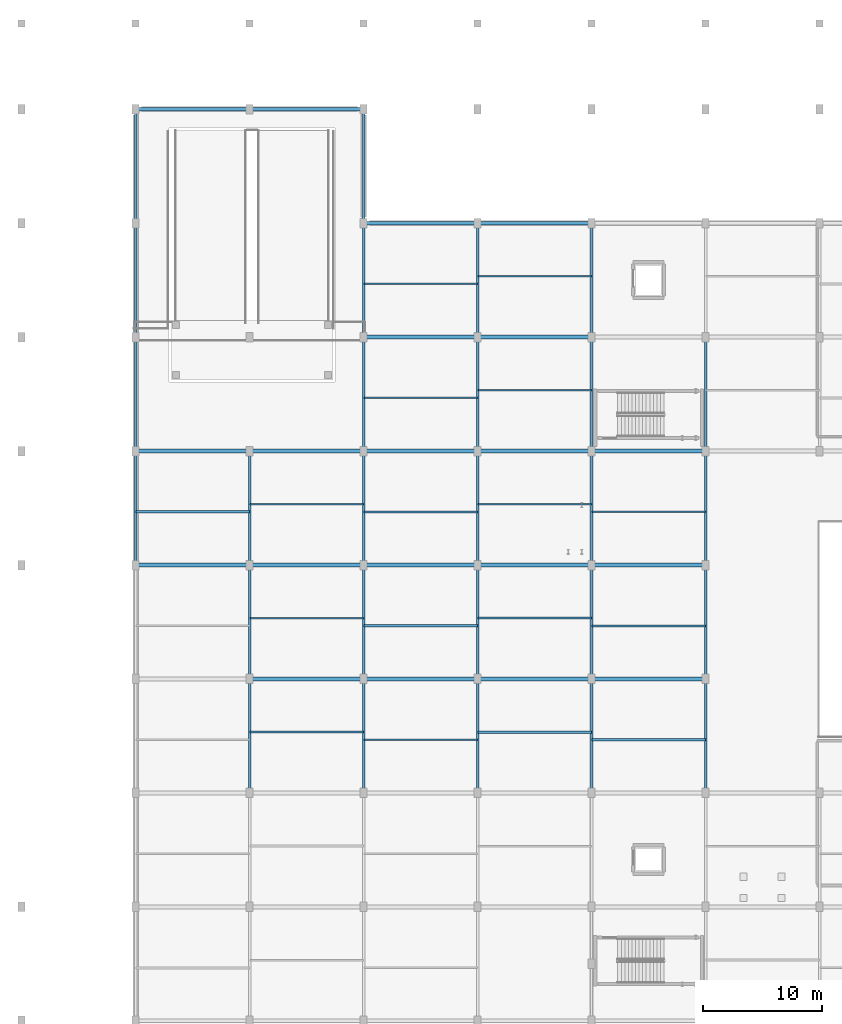
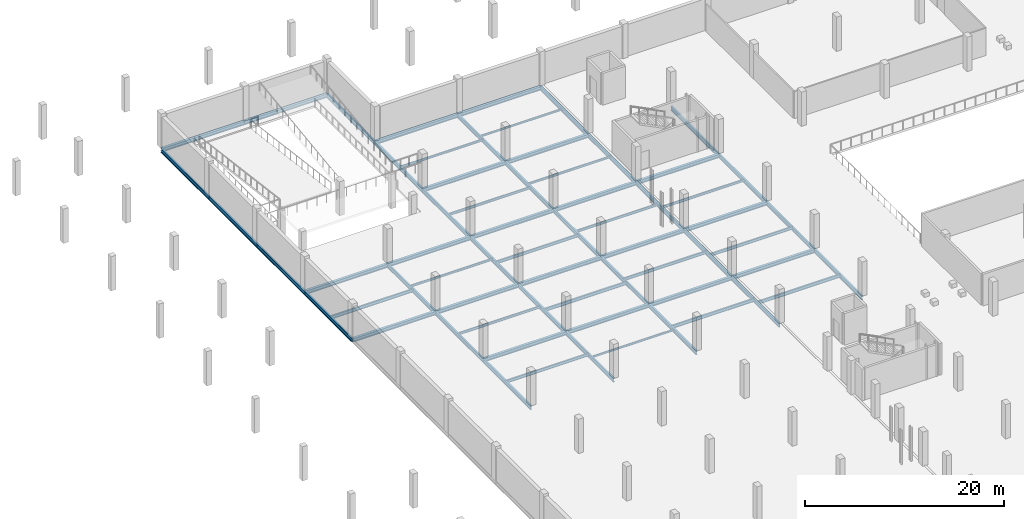
# One storey, part 28 of 47: 64 beams.
"""IFC4 building model written with IfcOpenShell, lengths in metres."""

from ifc_helpers import new_model, si_unit, direction, frame, origin, origin_2d, place, context, subcontext, project, spatial, i_section, extrude, material, material_profile, profile_set, type_object, element, save


model = new_model("IFC4")

# Units and contexts
model_context = context("Model", 3, precision=1e-05, world=origin(), true_north=direction((0.0, 1.0)))
body_context = subcontext(model_context, "Body", "Model", "MODEL_VIEW")
ifc_project = project(units=[si_unit("LENGTHUNIT", "METRE"), si_unit("AREAUNIT", "SQUARE_METRE"), si_unit("VOLUMEUNIT", "CUBIC_METRE"), si_unit("PLANEANGLEUNIT", "RADIAN"), si_unit("MASSUNIT", "GRAM", prefix="KILO")], contexts=[model_context])

# Site, building, storey
site_placement = place(None, origin())
site = spatial("IfcSite", under=ifc_project, at=site_placement, CompositionType="ELEMENT")
building_placement = place(site_placement, origin())
building = spatial("IfcBuilding", under=site, at=building_placement, Name="Zevrakil Square Congress Hotel", CompositionType="ELEMENT")
storey_placement = place(building_placement, frame((0.0, 0.0, -4.199951171875)))
storey = spatial("IfcBuildingStorey", under=building, at=storey_placement, Name="B1", CompositionType="ELEMENT", Elevation=-4.199951171875)

# Beams
ifc_material_1 = material(Name="Steel S355", Category="steel")
ifc_material_profile_1 = material_profile(ifc_material_1, i_section(OverallWidth=0.300048828125, OverallDepth=0.43994140625, WebThickness=0.011474609375, FlangeThickness=0.02099609375, FilletRadius=0.027099609375, at=origin_2d()), Name="HEA 450")
ifc_profile_set_1 = profile_set([ifc_material_profile_1], Name="Steel S355")
beam_type_1 = type_object("IfcBeamType", Name="BM-HEA450", PredefinedType="BEAM", material=ifc_profile_set_1)
for number, where, z_axis, x_axis, name in (
    (1, (26.39990234375, 64.800048828125, -0.489990234375), (1.0, 0.0, 0.0), (0.0, 1.0, 0.0), "B1 primary girder BX-0083"),
    (2, (36.0, 64.800048828125, -0.489990234375), (1.0, 0.0, 0.0), (0.0, 1.0, 0.0), "B1 primary girder BX-0084"),
):
    element("IfcBeam", number, at=place(storey_placement, frame(where, z_axis=z_axis, x_axis=x_axis)), inside=storey, type_object=beam_type_1, Name=name, PredefinedType="BEAM", context=body_context, shape_type="SweptSolid", body=[
        extrude(i_section(OverallWidth=0.300048828125, OverallDepth=0.43994140625, WebThickness=0.011474609375, FlangeThickness=0.02099609375, FilletRadius=0.027099609375, at=origin_2d()), origin(), (0.0, 0.0, 1.0), 9.60009765625),
    ])
beam_1_placement = place(storey_placement, frame((45.60009765625, 64.800048828125, -0.489990234375), z_axis=(1.0, 0.0, 0.0), x_axis=(0.0, 1.0, 0.0)))
element("IfcBeam", 3, at=beam_1_placement, inside=storey, type_object=beam_type_1, Name="B1 primary girder BX-0085", PredefinedType="BEAM", context=body_context, shape_type="SweptSolid", body=[
    extrude(i_section(OverallWidth=0.300048828125, OverallDepth=0.43994140625, WebThickness=0.011474609375, FlangeThickness=0.02099609375, FilletRadius=0.027099609375, at=origin_2d()), origin(), (0.0, 0.0, 1.0), 9.599853515625),
])
beam_2_placement = place(storey_placement, frame((55.199951171875, 64.800048828125, -0.489990234375), z_axis=(1.0, 0.0, 0.0), x_axis=(0.0, 1.0, 0.0)))
element("IfcBeam", 4, at=beam_2_placement, inside=storey, type_object=beam_type_1, Name="B1 primary girder BX-0086", PredefinedType="BEAM", context=body_context, shape_type="SweptSolid", body=[
    extrude(i_section(OverallWidth=0.300048828125, OverallDepth=0.43994140625, WebThickness=0.011474609375, FlangeThickness=0.02099609375, FilletRadius=0.027099609375, at=origin_2d()), origin(), (0.0, 0.0, 1.0), 9.60009765625),
])
beam_3_placement = place(storey_placement, frame((16.800048828125, 74.39990234375, -0.489990234375), z_axis=(1.0, 0.0, 0.0), x_axis=(0.0, 1.0, 0.0)))
element("IfcBeam", 5, at=beam_3_placement, inside=storey, type_object=beam_type_1, Name="B1 primary girder BX-0089", PredefinedType="BEAM", context=body_context, shape_type="SweptSolid", body=[
    extrude(i_section(OverallWidth=0.300048828125, OverallDepth=0.43994140625, WebThickness=0.011474609375, FlangeThickness=0.02099609375, FilletRadius=0.027099609375, at=origin_2d()), origin(), (0.0, 0.0, 1.0), 9.599853515625),
])
for number, where, z_axis, x_axis, name in (
    (6, (26.39990234375, 74.39990234375, -0.489990234375), (1.0, 0.0, 0.0), (0.0, 1.0, 0.0), "B1 primary girder BX-0090"),
    (7, (36.0, 74.39990234375, -0.489990234375), (1.0, 0.0, 0.0), (0.0, 1.0, 0.0), "B1 primary girder BX-0091"),
):
    element("IfcBeam", number, at=place(storey_placement, frame(where, z_axis=z_axis, x_axis=x_axis)), inside=storey, type_object=beam_type_1, Name=name, PredefinedType="BEAM", context=body_context, shape_type="SweptSolid", body=[
        extrude(i_section(OverallWidth=0.300048828125, OverallDepth=0.43994140625, WebThickness=0.011474609375, FlangeThickness=0.02099609375, FilletRadius=0.027099609375, at=origin_2d()), origin(), (0.0, 0.0, 1.0), 9.60009765625),
    ])
beam_4_placement = place(storey_placement, frame((45.60009765625, 74.39990234375, -0.489990234375), z_axis=(1.0, 0.0, 0.0), x_axis=(0.0, 1.0, 0.0)))
element("IfcBeam", 8, at=beam_4_placement, inside=storey, type_object=beam_type_1, Name="B1 primary girder BX-0092", PredefinedType="BEAM", context=body_context, shape_type="SweptSolid", body=[
    extrude(i_section(OverallWidth=0.300048828125, OverallDepth=0.43994140625, WebThickness=0.011474609375, FlangeThickness=0.02099609375, FilletRadius=0.027099609375, at=origin_2d()), origin(), (0.0, 0.0, 1.0), 9.599853515625),
])
beam_5_placement = place(storey_placement, frame((55.199951171875, 74.39990234375, -0.489990234375), z_axis=(1.0, 0.0, 0.0), x_axis=(0.0, 1.0, 0.0)))
element("IfcBeam", 9, at=beam_5_placement, inside=storey, type_object=beam_type_1, Name="B1 primary girder BX-0093", PredefinedType="BEAM", context=body_context, shape_type="SweptSolid", body=[
    extrude(i_section(OverallWidth=0.300048828125, OverallDepth=0.43994140625, WebThickness=0.011474609375, FlangeThickness=0.02099609375, FilletRadius=0.027099609375, at=origin_2d()), origin(), (0.0, 0.0, 1.0), 9.60009765625),
])
beam_6_placement = place(storey_placement, frame((16.800048828125, 84.0, -0.489990234375), z_axis=(1.0, 0.0, 0.0), x_axis=(0.0, 1.0, 0.0)))
element("IfcBeam", 10, at=beam_6_placement, inside=storey, type_object=beam_type_1, Name="B1 primary girder BX-0096", PredefinedType="BEAM", context=body_context, shape_type="SweptSolid", body=[
    extrude(i_section(OverallWidth=0.300048828125, OverallDepth=0.43994140625, WebThickness=0.011474609375, FlangeThickness=0.02099609375, FilletRadius=0.027099609375, at=origin_2d()), origin(), (0.0, 0.0, 1.0), 9.599853515625),
])
for number, where, z_axis, x_axis, name in (
    (11, (26.39990234375, 84.0, -0.489990234375), (1.0, 0.0, 0.0), (0.0, 1.0, 0.0), "B1 primary girder BX-0097"),
    (12, (36.0, 84.0, -0.489990234375), (1.0, 0.0, 0.0), (0.0, 1.0, 0.0), "B1 primary girder BX-0098"),
):
    element("IfcBeam", number, at=place(storey_placement, frame(where, z_axis=z_axis, x_axis=x_axis)), inside=storey, type_object=beam_type_1, Name=name, PredefinedType="BEAM", context=body_context, shape_type="SweptSolid", body=[
        extrude(i_section(OverallWidth=0.300048828125, OverallDepth=0.43994140625, WebThickness=0.011474609375, FlangeThickness=0.02099609375, FilletRadius=0.027099609375, at=origin_2d()), origin(), (0.0, 0.0, 1.0), 9.60009765625),
    ])
beam_7_placement = place(storey_placement, frame((45.60009765625, 84.0, -0.489990234375), z_axis=(1.0, 0.0, 0.0), x_axis=(0.0, 1.0, 0.0)))
element("IfcBeam", 13, at=beam_7_placement, inside=storey, type_object=beam_type_1, Name="B1 primary girder BX-0099", PredefinedType="BEAM", context=body_context, shape_type="SweptSolid", body=[
    extrude(i_section(OverallWidth=0.300048828125, OverallDepth=0.43994140625, WebThickness=0.011474609375, FlangeThickness=0.02099609375, FilletRadius=0.027099609375, at=origin_2d()), origin(), (0.0, 0.0, 1.0), 9.599853515625),
])
for number, where, z_axis, x_axis, name in (
    (14, (55.199951171875, 84.0, -0.489990234375), (1.0, 0.0, 0.0), (0.0, 1.0, 0.0), "B1 primary girder BX-0100"),
    (15, (36.0, 93.60009765625, -0.489990234375), (1.0, 0.0, 0.0), (0.0, 1.0, 0.0), "B1 primary girder BX-0107"),
):
    element("IfcBeam", number, at=place(storey_placement, frame(where, z_axis=z_axis, x_axis=x_axis)), inside=storey, type_object=beam_type_1, Name=name, PredefinedType="BEAM", context=body_context, shape_type="SweptSolid", body=[
        extrude(i_section(OverallWidth=0.300048828125, OverallDepth=0.43994140625, WebThickness=0.011474609375, FlangeThickness=0.02099609375, FilletRadius=0.027099609375, at=origin_2d()), origin(), (0.0, 0.0, 1.0), 9.60009765625),
    ])
beam_8_placement = place(storey_placement, frame((45.60009765625, 93.60009765625, -0.489990234375), z_axis=(1.0, 0.0, 0.0), x_axis=(0.0, 1.0, 0.0)))
element("IfcBeam", 16, at=beam_8_placement, inside=storey, type_object=beam_type_1, Name="B1 primary girder BX-0108", PredefinedType="BEAM", context=body_context, shape_type="SweptSolid", body=[
    extrude(i_section(OverallWidth=0.300048828125, OverallDepth=0.43994140625, WebThickness=0.011474609375, FlangeThickness=0.02099609375, FilletRadius=0.027099609375, at=origin_2d()), origin(), (0.0, 0.0, 1.0), 9.599853515625),
])
beam_9_placement = place(storey_placement, frame((36.0, 103.199951171875, -0.489990234375), z_axis=(1.0, 0.0, 0.0), x_axis=(0.0, 1.0, 0.0)))
element("IfcBeam", 17, at=beam_9_placement, inside=storey, type_object=beam_type_1, Name="B1 primary girder BX-0116", PredefinedType="BEAM", context=body_context, shape_type="SweptSolid", body=[
    extrude(i_section(OverallWidth=0.300048828125, OverallDepth=0.43994140625, WebThickness=0.011474609375, FlangeThickness=0.02099609375, FilletRadius=0.027099609375, at=origin_2d()), origin(), (0.0, 0.0, 1.0), 9.60009765625),
])
for number, where, z_axis, x_axis, name in (
    (18, (45.60009765625, 103.199951171875, -0.489990234375), (1.0, 0.0, 0.0), (0.0, 1.0, 0.0), "B1 primary girder BX-0117"),
    (19, (16.800048828125, 112.800048828125, -0.489990234375), (1.0, 0.0, 0.0), (0.0, 1.0, 0.0), "B1 primary girder BX-0125"),
):
    element("IfcBeam", number, at=place(storey_placement, frame(where, z_axis=z_axis, x_axis=x_axis)), inside=storey, type_object=beam_type_1, Name=name, PredefinedType="BEAM", context=body_context, shape_type="SweptSolid", body=[
        extrude(i_section(OverallWidth=0.300048828125, OverallDepth=0.43994140625, WebThickness=0.011474609375, FlangeThickness=0.02099609375, FilletRadius=0.027099609375, at=origin_2d()), origin(), (0.0, 0.0, 1.0), 9.599853515625),
    ])
beam_10_placement = place(storey_placement, frame((26.39990234375, 112.800048828125, -0.489990234375), z_axis=(1.0, 0.0, 0.0), x_axis=(0.0, 1.0, 0.0)))
element("IfcBeam", 20, at=beam_10_placement, inside=storey, type_object=beam_type_1, Name="B1 primary girder BX-0126", PredefinedType="BEAM", context=body_context, shape_type="SweptSolid", body=[
    extrude(i_section(OverallWidth=0.300048828125, OverallDepth=0.43994140625, WebThickness=0.011474609375, FlangeThickness=0.02099609375, FilletRadius=0.027099609375, at=origin_2d()), origin(), (0.0, 0.0, 1.0), 9.60009765625),
])
ifc_material_2 = material(Name="Steel S355", Category="steel")
ifc_material_profile_2 = material_profile(ifc_material_2, i_section(OverallWidth=0.199951171875, OverallDepth=0.5, WebThickness=0.01025390625, FlangeThickness=0.01611328125, FilletRadius=0.02099609375, at=origin_2d()), Name="IPE 500")
ifc_profile_set_2 = profile_set([ifc_material_profile_2], Name="Steel S355")
beam_type_2 = type_object("IfcBeamType", Name="BM-IPE500", PredefinedType="BEAM", material=ifc_profile_set_2)
for number, where, z_axis, x_axis, name in (
    (21, (16.800048828125, 74.39990234375, -0.52001953125), (0.0, 1.0, 0.0), (-1.0, 0.0, 0.0), "B1 primary girder BY-0134"),
    (22, (16.800048828125, 84.0, -0.52001953125), (0.0, 1.0, 0.0), (-1.0, 0.0, 0.0), "B1 primary girder BY-0135"),
):
    element("IfcBeam", number, at=place(storey_placement, frame(where, z_axis=z_axis, x_axis=x_axis)), inside=storey, type_object=beam_type_2, Name=name, PredefinedType="BEAM", context=body_context, shape_type="SweptSolid", body=[
        extrude(i_section(OverallWidth=0.199951171875, OverallDepth=0.5, WebThickness=0.01025390625, FlangeThickness=0.01611328125, FilletRadius=0.02099609375, at=origin_2d()), origin(), (0.0, 0.0, 1.0), 9.60009765625),
    ])
beam_11_placement = place(storey_placement, frame((16.800048828125, 93.60009765625, -0.52001953125), z_axis=(0.0, 1.0, 0.0), x_axis=(-1.0, 0.0, 0.0)))
element("IfcBeam", 23, at=beam_11_placement, inside=storey, type_object=beam_type_2, Name="B1 primary girder BY-0136", PredefinedType="BEAM", context=body_context, shape_type="SweptSolid", body=[
    extrude(i_section(OverallWidth=0.199951171875, OverallDepth=0.5, WebThickness=0.01025390625, FlangeThickness=0.01611328125, FilletRadius=0.02099609375, at=origin_2d()), origin(), (0.0, 0.0, 1.0), 9.599853515625),
])
for number, where, z_axis, x_axis, name in (
    (24, (16.800048828125, 103.199951171875, -0.52001953125), (0.0, 1.0, 0.0), (-1.0, 0.0, 0.0), "B1 primary girder BY-0137"),
    (25, (26.39990234375, 55.199951171875, -0.52001953125), (0.0, 1.0, 0.0), (-1.0, 0.0, 0.0), "B1 primary girder BY-0143"),
):
    element("IfcBeam", number, at=place(storey_placement, frame(where, z_axis=z_axis, x_axis=x_axis)), inside=storey, type_object=beam_type_2, Name=name, PredefinedType="BEAM", context=body_context, shape_type="SweptSolid", body=[
        extrude(i_section(OverallWidth=0.199951171875, OverallDepth=0.5, WebThickness=0.01025390625, FlangeThickness=0.01611328125, FilletRadius=0.02099609375, at=origin_2d()), origin(), (0.0, 0.0, 1.0), 9.60009765625),
    ])
beam_12_placement = place(storey_placement, frame((26.39990234375, 64.800048828125, -0.52001953125), z_axis=(0.0, 1.0, 0.0), x_axis=(-1.0, 0.0, 0.0)))
element("IfcBeam", 26, at=beam_12_placement, inside=storey, type_object=beam_type_2, Name="B1 primary girder BY-0144", PredefinedType="BEAM", context=body_context, shape_type="SweptSolid", body=[
    extrude(i_section(OverallWidth=0.199951171875, OverallDepth=0.5, WebThickness=0.01025390625, FlangeThickness=0.01611328125, FilletRadius=0.02099609375, at=origin_2d()), origin(), (0.0, 0.0, 1.0), 9.599853515625),
])
for number, where, z_axis, x_axis, name in (
    (27, (26.39990234375, 74.39990234375, -0.52001953125), (0.0, 1.0, 0.0), (-1.0, 0.0, 0.0), "B1 primary girder BY-0145"),
    (28, (36.0, 55.199951171875, -0.52001953125), (0.0, 1.0, 0.0), (-1.0, 0.0, 0.0), "B1 primary girder BY-0151"),
):
    element("IfcBeam", number, at=place(storey_placement, frame(where, z_axis=z_axis, x_axis=x_axis)), inside=storey, type_object=beam_type_2, Name=name, PredefinedType="BEAM", context=body_context, shape_type="SweptSolid", body=[
        extrude(i_section(OverallWidth=0.199951171875, OverallDepth=0.5, WebThickness=0.01025390625, FlangeThickness=0.01611328125, FilletRadius=0.02099609375, at=origin_2d()), origin(), (0.0, 0.0, 1.0), 9.60009765625),
    ])
beam_13_placement = place(storey_placement, frame((36.0, 64.800048828125, -0.52001953125), z_axis=(0.0, 1.0, 0.0), x_axis=(-1.0, 0.0, 0.0)))
element("IfcBeam", 29, at=beam_13_placement, inside=storey, type_object=beam_type_2, Name="B1 primary girder BY-0152", PredefinedType="BEAM", context=body_context, shape_type="SweptSolid", body=[
    extrude(i_section(OverallWidth=0.199951171875, OverallDepth=0.5, WebThickness=0.01025390625, FlangeThickness=0.01611328125, FilletRadius=0.02099609375, at=origin_2d()), origin(), (0.0, 0.0, 1.0), 9.599853515625),
])
for number, where, z_axis, x_axis, name in (
    (30, (36.0, 74.39990234375, -0.52001953125), (0.0, 1.0, 0.0), (-1.0, 0.0, 0.0), "B1 primary girder BY-0153"),
    (31, (36.0, 84.0, -0.52001953125), (0.0, 1.0, 0.0), (-1.0, 0.0, 0.0), "B1 primary girder BY-0154"),
):
    element("IfcBeam", number, at=place(storey_placement, frame(where, z_axis=z_axis, x_axis=x_axis)), inside=storey, type_object=beam_type_2, Name=name, PredefinedType="BEAM", context=body_context, shape_type="SweptSolid", body=[
        extrude(i_section(OverallWidth=0.199951171875, OverallDepth=0.5, WebThickness=0.01025390625, FlangeThickness=0.01611328125, FilletRadius=0.02099609375, at=origin_2d()), origin(), (0.0, 0.0, 1.0), 9.60009765625),
    ])
beam_14_placement = place(storey_placement, frame((36.0, 93.60009765625, -0.52001953125), z_axis=(0.0, 1.0, 0.0), x_axis=(-1.0, 0.0, 0.0)))
element("IfcBeam", 32, at=beam_14_placement, inside=storey, type_object=beam_type_2, Name="B1 primary girder BY-0155", PredefinedType="BEAM", context=body_context, shape_type="SweptSolid", body=[
    extrude(i_section(OverallWidth=0.199951171875, OverallDepth=0.5, WebThickness=0.01025390625, FlangeThickness=0.01611328125, FilletRadius=0.02099609375, at=origin_2d()), origin(), (0.0, 0.0, 1.0), 9.599853515625),
])
for number, where, z_axis, x_axis, name in (
    (33, (36.0, 103.199951171875, -0.52001953125), (0.0, 1.0, 0.0), (-1.0, 0.0, 0.0), "B1 primary girder BY-0156"),
    (34, (45.60009765625, 55.199951171875, -0.52001953125), (0.0, 1.0, 0.0), (-1.0, 0.0, 0.0), "B1 primary girder BY-0162"),
):
    element("IfcBeam", number, at=place(storey_placement, frame(where, z_axis=z_axis, x_axis=x_axis)), inside=storey, type_object=beam_type_2, Name=name, PredefinedType="BEAM", context=body_context, shape_type="SweptSolid", body=[
        extrude(i_section(OverallWidth=0.199951171875, OverallDepth=0.5, WebThickness=0.01025390625, FlangeThickness=0.01611328125, FilletRadius=0.02099609375, at=origin_2d()), origin(), (0.0, 0.0, 1.0), 9.60009765625),
    ])
beam_15_placement = place(storey_placement, frame((45.60009765625, 64.800048828125, -0.52001953125), z_axis=(0.0, 1.0, 0.0), x_axis=(-1.0, 0.0, 0.0)))
element("IfcBeam", 35, at=beam_15_placement, inside=storey, type_object=beam_type_2, Name="B1 primary girder BY-0163", PredefinedType="BEAM", context=body_context, shape_type="SweptSolid", body=[
    extrude(i_section(OverallWidth=0.199951171875, OverallDepth=0.5, WebThickness=0.01025390625, FlangeThickness=0.01611328125, FilletRadius=0.02099609375, at=origin_2d()), origin(), (0.0, 0.0, 1.0), 9.599853515625),
])
for number, where, z_axis, x_axis, name in (
    (36, (45.60009765625, 74.39990234375, -0.52001953125), (0.0, 1.0, 0.0), (-1.0, 0.0, 0.0), "B1 primary girder BY-0164"),
    (37, (45.60009765625, 84.0, -0.52001953125), (0.0, 1.0, 0.0), (-1.0, 0.0, 0.0), "B1 primary girder BY-0165"),
):
    element("IfcBeam", number, at=place(storey_placement, frame(where, z_axis=z_axis, x_axis=x_axis)), inside=storey, type_object=beam_type_2, Name=name, PredefinedType="BEAM", context=body_context, shape_type="SweptSolid", body=[
        extrude(i_section(OverallWidth=0.199951171875, OverallDepth=0.5, WebThickness=0.01025390625, FlangeThickness=0.01611328125, FilletRadius=0.02099609375, at=origin_2d()), origin(), (0.0, 0.0, 1.0), 9.60009765625),
    ])
beam_16_placement = place(storey_placement, frame((45.60009765625, 93.60009765625, -0.52001953125), z_axis=(0.0, 1.0, 0.0), x_axis=(-1.0, 0.0, 0.0)))
element("IfcBeam", 38, at=beam_16_placement, inside=storey, type_object=beam_type_2, Name="B1 primary girder BY-0166", PredefinedType="BEAM", context=body_context, shape_type="SweptSolid", body=[
    extrude(i_section(OverallWidth=0.199951171875, OverallDepth=0.5, WebThickness=0.01025390625, FlangeThickness=0.01611328125, FilletRadius=0.02099609375, at=origin_2d()), origin(), (0.0, 0.0, 1.0), 9.599853515625),
])
beam_17_placement = place(storey_placement, frame((55.199951171875, 55.199951171875, -0.52001953125), z_axis=(0.0, 1.0, 0.0), x_axis=(-1.0, 0.0, 0.0)))
element("IfcBeam", 39, at=beam_17_placement, inside=storey, type_object=beam_type_2, Name="B1 primary girder BY-0176", PredefinedType="BEAM", context=body_context, shape_type="SweptSolid", body=[
    extrude(i_section(OverallWidth=0.199951171875, OverallDepth=0.5, WebThickness=0.01025390625, FlangeThickness=0.01611328125, FilletRadius=0.02099609375, at=origin_2d()), origin(), (0.0, 0.0, 1.0), 9.60009765625),
])
beam_18_placement = place(storey_placement, frame((55.199951171875, 64.800048828125, -0.52001953125), z_axis=(0.0, 1.0, 0.0), x_axis=(-1.0, 0.0, 0.0)))
element("IfcBeam", 40, at=beam_18_placement, inside=storey, type_object=beam_type_2, Name="B1 primary girder BY-0177", PredefinedType="BEAM", context=body_context, shape_type="SweptSolid", body=[
    extrude(i_section(OverallWidth=0.199951171875, OverallDepth=0.5, WebThickness=0.01025390625, FlangeThickness=0.01611328125, FilletRadius=0.02099609375, at=origin_2d()), origin(), (0.0, 0.0, 1.0), 9.599853515625),
])
for number, where, z_axis, x_axis, name in (
    (41, (55.199951171875, 74.39990234375, -0.52001953125), (0.0, 1.0, 0.0), (-1.0, 0.0, 0.0), "B1 primary girder BY-0178"),
    (42, (55.199951171875, 84.0, -0.52001953125), (0.0, 1.0, 0.0), (-1.0, 0.0, 0.0), "B1 primary girder BY-0179"),
):
    element("IfcBeam", number, at=place(storey_placement, frame(where, z_axis=z_axis, x_axis=x_axis)), inside=storey, type_object=beam_type_2, Name=name, PredefinedType="BEAM", context=body_context, shape_type="SweptSolid", body=[
        extrude(i_section(OverallWidth=0.199951171875, OverallDepth=0.5, WebThickness=0.01025390625, FlangeThickness=0.01611328125, FilletRadius=0.02099609375, at=origin_2d()), origin(), (0.0, 0.0, 1.0), 9.60009765625),
    ])
beam_19_placement = place(storey_placement, frame((55.199951171875, 93.60009765625, -0.52001953125), z_axis=(0.0, 1.0, 0.0), x_axis=(-1.0, 0.0, 0.0)))
element("IfcBeam", 43, at=beam_19_placement, inside=storey, type_object=beam_type_2, Name="B1 primary girder BY-0180", PredefinedType="BEAM", context=body_context, shape_type="SweptSolid", body=[
    extrude(i_section(OverallWidth=0.199951171875, OverallDepth=0.5, WebThickness=0.01025390625, FlangeThickness=0.01611328125, FilletRadius=0.02099609375, at=origin_2d()), origin(), (0.0, 0.0, 1.0), 9.599853515625),
])
beam_20_placement = place(storey_placement, frame((64.800048828125, 55.199951171875, -0.52001953125), z_axis=(0.0, 1.0, 0.0), x_axis=(-1.0, 0.0, 0.0)))
element("IfcBeam", 44, at=beam_20_placement, inside=storey, type_object=beam_type_2, Name="B1 primary girder BY-0186", PredefinedType="BEAM", context=body_context, shape_type="SweptSolid", body=[
    extrude(i_section(OverallWidth=0.199951171875, OverallDepth=0.5, WebThickness=0.01025390625, FlangeThickness=0.01611328125, FilletRadius=0.02099609375, at=origin_2d()), origin(), (0.0, 0.0, 1.0), 9.60009765625),
])
beam_21_placement = place(storey_placement, frame((64.800048828125, 64.800048828125, -0.52001953125), z_axis=(0.0, 1.0, 0.0), x_axis=(-1.0, 0.0, 0.0)))
element("IfcBeam", 45, at=beam_21_placement, inside=storey, type_object=beam_type_2, Name="B1 primary girder BY-0187", PredefinedType="BEAM", context=body_context, shape_type="SweptSolid", body=[
    extrude(i_section(OverallWidth=0.199951171875, OverallDepth=0.5, WebThickness=0.01025390625, FlangeThickness=0.01611328125, FilletRadius=0.02099609375, at=origin_2d()), origin(), (0.0, 0.0, 1.0), 9.599853515625),
])
for number, where, z_axis, x_axis, name in (
    (46, (64.800048828125, 74.39990234375, -0.52001953125), (0.0, 1.0, 0.0), (-1.0, 0.0, 0.0), "B1 primary girder BY-0188"),
    (47, (64.800048828125, 84.0, -0.52001953125), (0.0, 1.0, 0.0), (-1.0, 0.0, 0.0), "B1 primary girder BY-0189"),
):
    element("IfcBeam", number, at=place(storey_placement, frame(where, z_axis=z_axis, x_axis=x_axis)), inside=storey, type_object=beam_type_2, Name=name, PredefinedType="BEAM", context=body_context, shape_type="SweptSolid", body=[
        extrude(i_section(OverallWidth=0.199951171875, OverallDepth=0.5, WebThickness=0.01025390625, FlangeThickness=0.01611328125, FilletRadius=0.02099609375, at=origin_2d()), origin(), (0.0, 0.0, 1.0), 9.60009765625),
    ])
ifc_material_3 = material(Name="Steel S355", Category="steel")
ifc_material_profile_3 = material_profile(ifc_material_3, i_section(OverallWidth=0.1201171875, OverallDepth=0.239990234375, WebThickness=0.006103515625, FlangeThickness=0.009765625, FilletRadius=0.014892578125, at=origin_2d()), Name="IPE 240")
ifc_profile_set_3 = profile_set([ifc_material_profile_3], Name="Steel S355")
beam_type_3 = type_object("IfcBeamType", Name="JST-IPE240", PredefinedType="JOIST", material=ifc_profile_set_3)
beam_22_placement = place(storey_placement, frame((36.02001953125, 59.679931640625, -0.39013671875), z_axis=(1.0, 0.0, 0.0), x_axis=(0.0, 1.0, 0.0)))
element("IfcBeam", 48, at=beam_22_placement, inside=storey, type_object=beam_type_3, Name="B1 composite floor joist J-0022", PredefinedType="JOIST", context=body_context, shape_type="SweptSolid", body=[
    extrude(i_section(OverallWidth=0.1201171875, OverallDepth=0.239990234375, WebThickness=0.006103515625, FlangeThickness=0.009765625, FilletRadius=0.014892578125, at=origin_2d()), origin(), (0.0, 0.0, 1.0), 9.56005859375),
])
beam_23_placement = place(storey_placement, frame((45.6201171875, 98.719970703125, -0.39013671875), z_axis=(1.0, 0.0, 0.0), x_axis=(0.0, 1.0, 0.0)))
element("IfcBeam", 49, at=beam_23_placement, inside=storey, type_object=beam_type_3, Name="B1 composite floor joist J-0032", PredefinedType="JOIST", context=body_context, shape_type="SweptSolid", body=[
    extrude(i_section(OverallWidth=0.1201171875, OverallDepth=0.239990234375, WebThickness=0.006103515625, FlangeThickness=0.009765625, FilletRadius=0.014892578125, at=origin_2d()), origin(), (0.0, 0.0, 1.0), 9.559814453125),
])
ifc_material_4 = material(Name="Steel S355", Category="steel")
ifc_material_profile_4 = material_profile(ifc_material_4, i_section(OverallWidth=0.135009765625, OverallDepth=0.27001953125, WebThickness=0.006591796875, FlangeThickness=0.01025390625, FilletRadius=0.014892578125, at=origin_2d()), Name="IPE 270")
ifc_profile_set_4 = profile_set([ifc_material_profile_4], Name="Steel S355")
beam_type_4 = type_object("IfcBeamType", Name="JST-IPE270", PredefinedType="JOIST", material=ifc_profile_set_4)
for number, where, z_axis, x_axis, name in (
    (50, (26.419921875, 79.52001953125, -0.405029296875), (1.0, 0.0, 0.0), (0.0, 1.0, 0.0), "B1 composite floor joist J-0016"),
    (51, (36.02001953125, 98.080078125, -0.405029296875), (1.0, 0.0, 0.0), (0.0, 1.0, 0.0), "B1 composite floor joist J-0026"),
):
    element("IfcBeam", number, at=place(storey_placement, frame(where, z_axis=z_axis, x_axis=x_axis)), inside=storey, type_object=beam_type_4, Name=name, PredefinedType="JOIST", context=body_context, shape_type="SweptSolid", body=[
        extrude(i_section(OverallWidth=0.135009765625, OverallDepth=0.27001953125, WebThickness=0.006591796875, FlangeThickness=0.01025390625, FilletRadius=0.014892578125, at=origin_2d()), origin(), (0.0, 0.0, 1.0), 9.56005859375),
    ])
beam_24_placement = place(storey_placement, frame((45.6201171875, 89.1201171875, -0.405029296875), z_axis=(1.0, 0.0, 0.0), x_axis=(0.0, 1.0, 0.0)))
element("IfcBeam", 52, at=beam_24_placement, inside=storey, type_object=beam_type_4, Name="B1 composite floor joist J-0031", PredefinedType="JOIST", context=body_context, shape_type="SweptSolid", body=[
    extrude(i_section(OverallWidth=0.135009765625, OverallDepth=0.27001953125, WebThickness=0.006591796875, FlangeThickness=0.01025390625, FilletRadius=0.014892578125, at=origin_2d()), origin(), (0.0, 0.0, 1.0), 9.559814453125),
])
ifc_material_5 = material(Name="Steel S355", Category="steel")
ifc_material_profile_5 = material_profile(ifc_material_5, i_section(OverallWidth=0.14990234375, OverallDepth=0.300048828125, WebThickness=0.007080078125, FlangeThickness=0.0107421875, FilletRadius=0.014892578125, at=origin_2d()), Name="IPE 300")
ifc_profile_set_5 = profile_set([ifc_material_profile_5], Name="Steel S355")
beam_type_5 = type_object("IfcBeamType", Name="JST-IPE300", PredefinedType="JOIST", material=ifc_profile_set_5)
for number, where, z_axis, x_axis, name in (
    (53, (26.419921875, 69.919921875, -0.420166015625), (1.0, 0.0, 0.0), (0.0, 1.0, 0.0), "B1 composite floor joist J-0015"),
    (54, (36.02001953125, 88.47998046875, -0.420166015625), (1.0, 0.0, 0.0), (0.0, 1.0, 0.0), "B1 composite floor joist J-0025"),
):
    element("IfcBeam", number, at=place(storey_placement, frame(where, z_axis=z_axis, x_axis=x_axis)), inside=storey, type_object=beam_type_5, Name=name, PredefinedType="JOIST", context=body_context, shape_type="SweptSolid", body=[
        extrude(i_section(OverallWidth=0.14990234375, OverallDepth=0.300048828125, WebThickness=0.007080078125, FlangeThickness=0.0107421875, FilletRadius=0.014892578125, at=origin_2d()), origin(), (0.0, 0.0, 1.0), 9.56005859375),
    ])
beam_25_placement = place(storey_placement, frame((45.6201171875, 79.52001953125, -0.420166015625), z_axis=(1.0, 0.0, 0.0), x_axis=(0.0, 1.0, 0.0)))
element("IfcBeam", 55, at=beam_25_placement, inside=storey, type_object=beam_type_5, Name="B1 composite floor joist J-0030", PredefinedType="JOIST", context=body_context, shape_type="SweptSolid", body=[
    extrude(i_section(OverallWidth=0.14990234375, OverallDepth=0.300048828125, WebThickness=0.007080078125, FlangeThickness=0.0107421875, FilletRadius=0.014892578125, at=origin_2d()), origin(), (0.0, 0.0, 1.0), 9.559814453125),
])
beam_26_placement = place(storey_placement, frame((55.219970703125, 78.8798828125, -0.420166015625), z_axis=(1.0, 0.0, 0.0), x_axis=(0.0, 1.0, 0.0)))
element("IfcBeam", 56, at=beam_26_placement, inside=storey, type_object=beam_type_5, Name="B1 composite floor joist J-0035", PredefinedType="JOIST", context=body_context, shape_type="SweptSolid", body=[
    extrude(i_section(OverallWidth=0.14990234375, OverallDepth=0.300048828125, WebThickness=0.007080078125, FlangeThickness=0.0107421875, FilletRadius=0.014892578125, at=origin_2d()), origin(), (0.0, 0.0, 1.0), 9.56005859375),
])
ifc_material_6 = material(Name="Steel S355", Category="steel")
ifc_material_profile_6 = material_profile(ifc_material_6, i_section(OverallWidth=0.169921875, OverallDepth=0.360107421875, WebThickness=0.008056640625, FlangeThickness=0.0126953125, FilletRadius=0.01806640625, at=origin_2d()), Name="IPE 360")
ifc_profile_set_6 = profile_set([ifc_material_profile_6], Name="Steel S355")
beam_type_6 = type_object("IfcBeamType", Name="JST-IPE360", PredefinedType="JOIST", material=ifc_profile_set_6)
for number, where, z_axis, x_axis, name in (
    (57, (26.419921875, 60.320068359375, -0.449951171875), (1.0, 0.0, 0.0), (0.0, 1.0, 0.0), "B1 composite floor joist J-0014"),
    (58, (36.02001953125, 78.8798828125, -0.449951171875), (1.0, 0.0, 0.0), (0.0, 1.0, 0.0), "B1 composite floor joist J-0024"),
):
    element("IfcBeam", number, at=place(storey_placement, frame(where, z_axis=z_axis, x_axis=x_axis)), inside=storey, type_object=beam_type_6, Name=name, PredefinedType="JOIST", context=body_context, shape_type="SweptSolid", body=[
        extrude(i_section(OverallWidth=0.169921875, OverallDepth=0.360107421875, WebThickness=0.008056640625, FlangeThickness=0.0126953125, FilletRadius=0.01806640625, at=origin_2d()), origin(), (0.0, 0.0, 1.0), 9.56005859375),
    ])
beam_27_placement = place(storey_placement, frame((45.6201171875, 69.919921875, -0.449951171875), z_axis=(1.0, 0.0, 0.0), x_axis=(0.0, 1.0, 0.0)))
element("IfcBeam", 59, at=beam_27_placement, inside=storey, type_object=beam_type_6, Name="B1 composite floor joist J-0029", PredefinedType="JOIST", context=body_context, shape_type="SweptSolid", body=[
    extrude(i_section(OverallWidth=0.169921875, OverallDepth=0.360107421875, WebThickness=0.008056640625, FlangeThickness=0.0126953125, FilletRadius=0.01806640625, at=origin_2d()), origin(), (0.0, 0.0, 1.0), 9.559814453125),
])
beam_28_placement = place(storey_placement, frame((55.219970703125, 69.280029296875, -0.449951171875), z_axis=(1.0, 0.0, 0.0), x_axis=(0.0, 1.0, 0.0)))
element("IfcBeam", 60, at=beam_28_placement, inside=storey, type_object=beam_type_6, Name="B1 composite floor joist J-0034", PredefinedType="JOIST", context=body_context, shape_type="SweptSolid", body=[
    extrude(i_section(OverallWidth=0.169921875, OverallDepth=0.360107421875, WebThickness=0.008056640625, FlangeThickness=0.0126953125, FilletRadius=0.01806640625, at=origin_2d()), origin(), (0.0, 0.0, 1.0), 9.56005859375),
])
ifc_material_7 = material(Name="Steel S355", Category="steel")
ifc_material_profile_7 = material_profile(ifc_material_7, i_section(OverallWidth=0.179931640625, OverallDepth=0.39990234375, WebThickness=0.008544921875, FlangeThickness=0.013427734375, FilletRadius=0.02099609375, at=origin_2d()), Name="IPE 400")
ifc_profile_set_7 = profile_set([ifc_material_profile_7], Name="Steel S355")
beam_type_7 = type_object("IfcBeamType", Name="JST-IPE400", PredefinedType="JOIST", material=ifc_profile_set_7)
beam_29_placement = place(storey_placement, frame((16.820068359375, 78.8798828125, -0.469970703125), z_axis=(1.0, 0.0, 0.0), x_axis=(0.0, 1.0, 0.0)))
element("IfcBeam", 61, at=beam_29_placement, inside=storey, type_object=beam_type_7, Name="B1 composite floor joist J-0008", PredefinedType="JOIST", context=body_context, shape_type="SweptSolid", body=[
    extrude(i_section(OverallWidth=0.179931640625, OverallDepth=0.39990234375, WebThickness=0.008544921875, FlangeThickness=0.013427734375, FilletRadius=0.02099609375, at=origin_2d()), origin(), (0.0, 0.0, 1.0), 9.559814453125),
])
beam_30_placement = place(storey_placement, frame((36.02001953125, 69.280029296875, -0.469970703125), z_axis=(1.0, 0.0, 0.0), x_axis=(0.0, 1.0, 0.0)))
element("IfcBeam", 62, at=beam_30_placement, inside=storey, type_object=beam_type_7, Name="B1 composite floor joist J-0023", PredefinedType="JOIST", context=body_context, shape_type="SweptSolid", body=[
    extrude(i_section(OverallWidth=0.179931640625, OverallDepth=0.39990234375, WebThickness=0.008544921875, FlangeThickness=0.013427734375, FilletRadius=0.02099609375, at=origin_2d()), origin(), (0.0, 0.0, 1.0), 9.56005859375),
])
beam_31_placement = place(storey_placement, frame((45.6201171875, 60.320068359375, -0.469970703125), z_axis=(1.0, 0.0, 0.0), x_axis=(0.0, 1.0, 0.0)))
element("IfcBeam", 63, at=beam_31_placement, inside=storey, type_object=beam_type_7, Name="B1 composite floor joist J-0028", PredefinedType="JOIST", context=body_context, shape_type="SweptSolid", body=[
    extrude(i_section(OverallWidth=0.179931640625, OverallDepth=0.39990234375, WebThickness=0.008544921875, FlangeThickness=0.013427734375, FilletRadius=0.02099609375, at=origin_2d()), origin(), (0.0, 0.0, 1.0), 9.559814453125),
])
beam_32_placement = place(storey_placement, frame((55.219970703125, 59.679931640625, -0.469970703125), z_axis=(1.0, 0.0, 0.0), x_axis=(0.0, 1.0, 0.0)))
element("IfcBeam", 64, at=beam_32_placement, inside=storey, type_object=beam_type_7, Name="B1 composite floor joist J-0033", PredefinedType="JOIST", context=body_context, shape_type="SweptSolid", body=[
    extrude(i_section(OverallWidth=0.179931640625, OverallDepth=0.39990234375, WebThickness=0.008544921875, FlangeThickness=0.013427734375, FilletRadius=0.02099609375, at=origin_2d()), origin(), (0.0, 0.0, 1.0), 9.56005859375),
])

save(model, "model.ifc")
